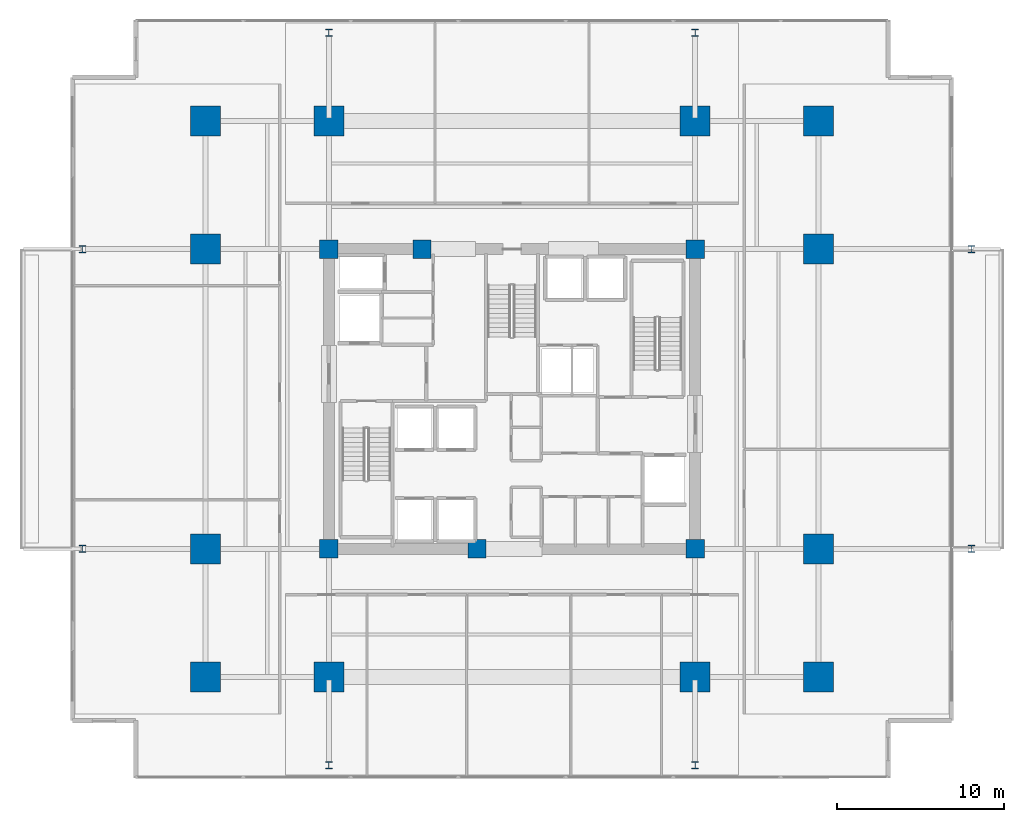
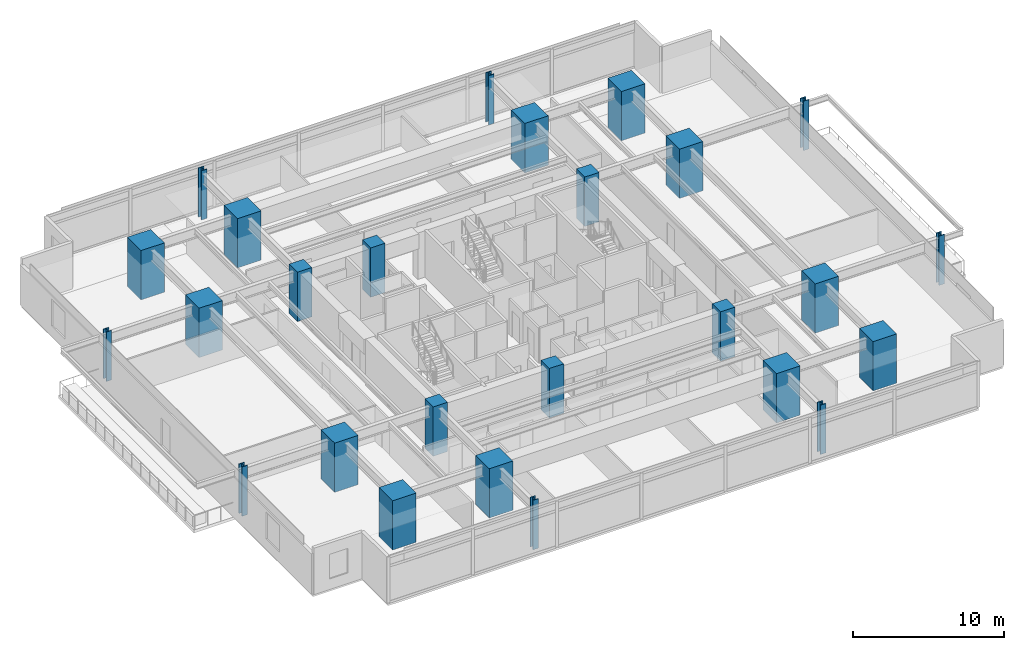
# One storey, part 1 of 22: 26 columns.
"""IFC4 building model written with IfcOpenShell, lengths in metres."""

from ifc_helpers import new_model, si_unit, direction, frame, origin, origin_2d, place, context, subcontext, project, spatial, rectangle, i_section, extrude, material, material_profile, profile_set, type_object, element, save


model = new_model("IFC4")

# Units and contexts
model_context = context("Model", 3, precision=1e-05, world=origin(), true_north=direction((0.0, 1.0)))
body_context = subcontext(model_context, "Body", "Model", "MODEL_VIEW")
ifc_project = project(units=[si_unit("LENGTHUNIT", "METRE"), si_unit("AREAUNIT", "SQUARE_METRE"), si_unit("VOLUMEUNIT", "CUBIC_METRE"), si_unit("PLANEANGLEUNIT", "RADIAN"), si_unit("MASSUNIT", "GRAM", prefix="KILO")], contexts=[model_context])

# Site, building, storey
site_placement = place(None, origin())
site = spatial("IfcSite", under=ifc_project, at=site_placement, CompositionType="ELEMENT")
building_placement = place(site_placement, origin())
building = spatial("IfcBuilding", under=site, at=building_placement, Name="Kovane Verandah Tower", CompositionType="ELEMENT")
storey_placement = place(building_placement, frame((0.0, 0.0, 99.60009765625)))
storey = spatial("IfcBuildingStorey", under=building, at=storey_placement, Name="L23", CompositionType="ELEMENT", Elevation=99.60009765625)

# Columns
ifc_material_1 = material(Name="Concrete C80/95", Category="concrete")
ifc_material_profile_1 = material_profile(ifc_material_1, rectangle(XDim=1.800048828125, YDim=1.800048828125, at=origin_2d()), Name="RC1800x1800")
ifc_profile_set_1 = profile_set([ifc_material_profile_1], Name="Concrete C80/95")
column_type_1 = type_object("IfcColumnType", Name="COL-RC1800", PredefinedType="COLUMN", material=ifc_profile_set_1)
for number, where, z_axis, x_axis, name in (
    (1, (29.0, 10.800048828125, 0.0), (0.0, 0.0, 1.0), (1.0, 0.0, 0.0), "L23 Tower Mega-Column MC-S1"),
    (2, (51.0, 10.800048828125, 0.0), (0.0, 0.0, 1.0), (1.0, 0.0, 0.0), "L23 Tower Mega-Column MC-S2"),
    (3, (29.0, 44.199951171875, 0.0), (0.0, 0.0, 1.0), (1.0, 0.0, 0.0), "L23 Tower Mega-Column MC-N1"),
    (4, (51.0, 44.199951171875, 0.0), (0.0, 0.0, 1.0), (1.0, 0.0, 0.0), "L23 Tower Mega-Column MC-N2"),
    (5, (21.60009765625, 18.5, 0.0), (0.0, 0.0, 1.0), (1.0, 0.0, 0.0), "L23 Tower Mega-Column MC-W1"),
    (6, (21.60009765625, 36.5, 0.0), (0.0, 0.0, 1.0), (1.0, 0.0, 0.0), "L23 Tower Mega-Column MC-W2"),
    (7, (58.39990234375, 18.5, 0.0), (0.0, 0.0, 1.0), (1.0, 0.0, 0.0), "L23 Tower Mega-Column MC-E1"),
    (8, (58.39990234375, 36.5, 0.0), (0.0, 0.0, 1.0), (1.0, 0.0, 0.0), "L23 Tower Mega-Column MC-E2"),
    (9, (21.60009765625, 10.800048828125, 0.0), (0.0, 0.0, 1.0), (1.0, 0.0, 0.0), "L23 Tower Mega-Column MC-SW"),
    (10, (58.39990234375, 10.800048828125, 0.0), (0.0, 0.0, 1.0), (1.0, 0.0, 0.0), "L23 Tower Mega-Column MC-SE"),
    (11, (21.60009765625, 44.199951171875, 0.0), (0.0, 0.0, 1.0), (1.0, 0.0, 0.0), "L23 Tower Mega-Column MC-NW"),
    (12, (58.39990234375, 44.199951171875, 0.0), (0.0, 0.0, 1.0), (1.0, 0.0, 0.0), "L23 Tower Mega-Column MC-NE"),
):
    element("IfcColumn", number, at=place(storey_placement, frame(where, z_axis=z_axis, x_axis=x_axis)), inside=storey, type_object=column_type_1, Name=name, PredefinedType="COLUMN", context=body_context, shape_type="SweptSolid", body=[
        extrude(rectangle(XDim=1.800048828125, YDim=1.800048828125, at=origin_2d()), origin(), (0.0, 0.0, 1.0), 4.0),
    ])
ifc_material_2 = material(Name="Steel S460", Category="steel")
ifc_material_profile_2 = material_profile(ifc_material_2, i_section(OverallWidth=0.412109375, OverallDepth=0.4365234375, WebThickness=0.035888671875, FlangeThickness=0.05810546875, FilletRadius=0.01513671875, at=origin_2d()), Name="UC356x406x467")
ifc_profile_set_2 = profile_set([ifc_material_profile_2], Name="Steel S460")
column_type_2 = type_object("IfcColumnType", Name="COL-UC467", PredefinedType="COLUMN", material=ifc_profile_set_2)
for number, where, z_axis, x_axis, name in (
    (13, (14.199951171875, 18.5, 0.0), (0.0, 0.0, 1.0), (1.0, 0.0, 0.0), "L23 Verandah Perimeter Column VC-W1"),
    (14, (14.199951171875, 36.5, 0.0), (0.0, 0.0, 1.0), (1.0, 0.0, 0.0), "L23 Verandah Perimeter Column VC-W2"),
    (15, (67.60009765625, 18.5, 0.0), (0.0, 0.0, 1.0), (1.0, 0.0, 0.0), "L23 Verandah Perimeter Column VC-E1"),
    (16, (67.60009765625, 36.5, 0.0), (0.0, 0.0, 1.0), (1.0, 0.0, 0.0), "L23 Verandah Perimeter Column VC-E2"),
    (17, (29.0, 5.5, 0.0), (0.0, 0.0, 1.0), (1.0, 0.0, 0.0), "L23 Verandah Perimeter Column VC-S1"),
    (18, (51.0, 5.5, 0.0), (0.0, 0.0, 1.0), (1.0, 0.0, 0.0), "L23 Verandah Perimeter Column VC-S2"),
    (19, (29.0, 49.5, 0.0), (0.0, 0.0, 1.0), (1.0, 0.0, 0.0), "L23 Verandah Perimeter Column VC-N1"),
    (20, (51.0, 49.5, 0.0), (0.0, 0.0, 1.0), (1.0, 0.0, 0.0), "L23 Verandah Perimeter Column VC-N2"),
):
    element("IfcColumn", number, at=place(storey_placement, frame(where, z_axis=z_axis, x_axis=x_axis)), inside=storey, type_object=column_type_2, Name=name, PredefinedType="COLUMN", context=body_context, shape_type="SweptSolid", body=[
        extrude(i_section(OverallWidth=0.412109375, OverallDepth=0.4365234375, WebThickness=0.035888671875, FlangeThickness=0.05810546875, FilletRadius=0.01513671875, at=origin_2d()), origin(), (0.0, 0.0, 1.0), 4.0),
    ])
ifc_material_profile_3 = material_profile(ifc_material_1, rectangle(XDim=1.10009765625, YDim=1.10009765625, at=origin_2d()), Name="RC1100x1100")
ifc_profile_set_3 = profile_set([ifc_material_profile_3], Name="Concrete C80/95")
column_type_3 = type_object("IfcColumnType", Name="PIL-RC1100", PredefinedType="PILASTER", material=ifc_profile_set_3)
for number, where, z_axis, x_axis, name in (
    (21, (29.0, 18.5, 0.0), (0.0, 0.0, 1.0), (1.0, 0.0, 0.0), "L23 Core Pilaster CP-SW"),
    (22, (51.0, 18.5, 0.0), (0.0, 0.0, 1.0), (1.0, 0.0, 0.0), "L23 Core Pilaster CP-SE"),
    (23, (29.0, 36.5, 0.0), (0.0, 0.0, 1.0), (1.0, 0.0, 0.0), "L23 Core Pilaster CP-NW"),
    (24, (51.0, 36.5, 0.0), (0.0, 0.0, 1.0), (1.0, 0.0, 0.0), "L23 Core Pilaster CP-NE"),
    (25, (37.89990234375, 18.5, 0.0), (0.0, 0.0, 1.0), (1.0, 0.0, 0.0), "L23 Core Pilaster CP-S"),
    (26, (34.60009765625, 36.5, 0.0), (0.0, 0.0, 1.0), (1.0, 0.0, 0.0), "L23 Core Pilaster CP-N"),
):
    element("IfcColumn", number, at=place(storey_placement, frame(where, z_axis=z_axis, x_axis=x_axis)), inside=storey, type_object=column_type_3, Name=name, PredefinedType="PILASTER", context=body_context, shape_type="SweptSolid", body=[
        extrude(rectangle(XDim=1.10009765625, YDim=1.10009765625, at=origin_2d()), origin(), (0.0, 0.0, 1.0), 4.0),
    ])

save(model, "model.ifc")
